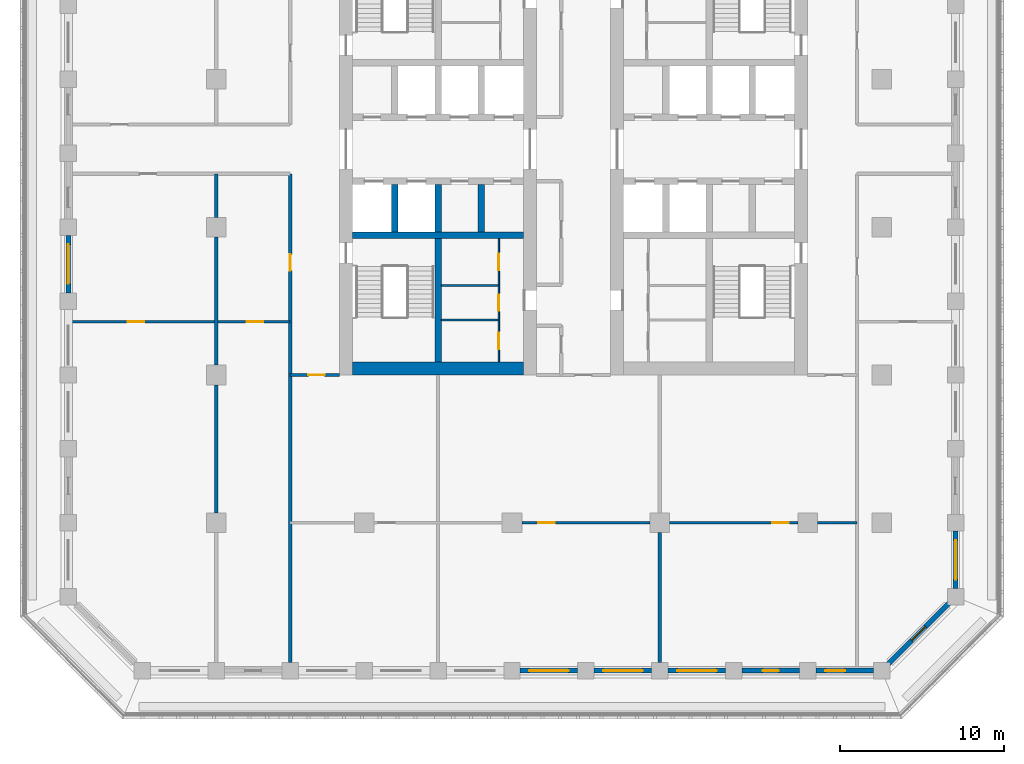
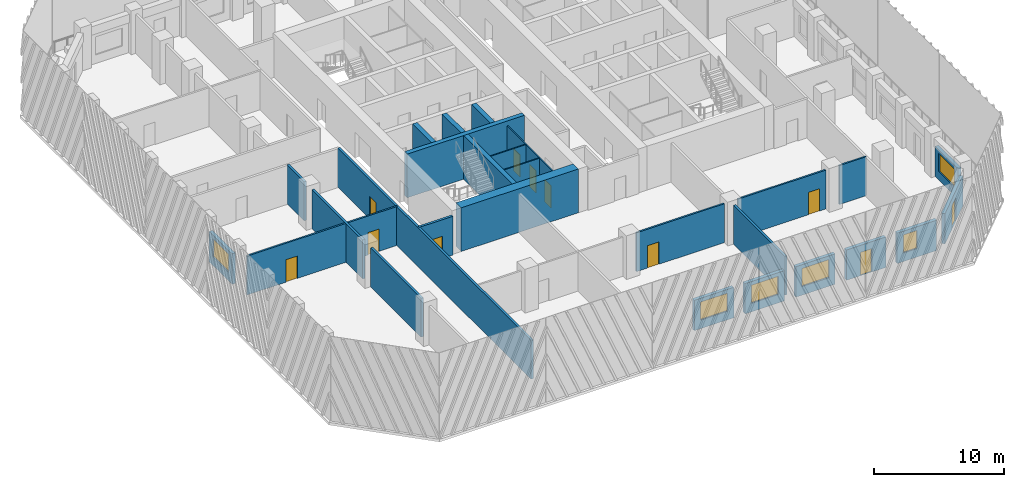
# One storey, part 3 of 16: 29 walls, 11 doors, 6 windows, 17 openings.
"""IFC4 building model written with IfcOpenShell, lengths in metres."""

from ifc_helpers import new_model, si_unit, direction, frame, frame_2d, origin, place, context, subcontext, project, spatial, rectangle, extrude, material, layer, layer_set, type_object, element, fill, save


model = new_model("IFC4")

# Units and contexts
model_context = context("Model", 3, precision=1e-05, world=origin(), true_north=direction((0.0, 1.0)))
body_context = subcontext(model_context, "Body", "Model", "MODEL_VIEW")
ifc_project = project(units=[si_unit("LENGTHUNIT", "METRE"), si_unit("AREAUNIT", "SQUARE_METRE"), si_unit("VOLUMEUNIT", "CUBIC_METRE"), si_unit("PLANEANGLEUNIT", "RADIAN"), si_unit("MASSUNIT", "GRAM", prefix="KILO")], contexts=[model_context])

# Site, building, storey
site_placement = place(None, origin())
site = spatial("IfcSite", under=ifc_project, at=site_placement, CompositionType="ELEMENT")
building_placement = place(site_placement, origin())
building = spatial("IfcBuilding", under=site, at=building_placement, Name="Corbel Stack Research Tower", CompositionType="ELEMENT")
storey_placement = place(building_placement, frame((0.0, 0.0, 165.0)))
storey = spatial("IfcBuildingStorey", under=building, at=storey_placement, Name="L37", CompositionType="ELEMENT", Elevation=165.0)

# Walls
ifc_material_1 = material(Name="Concrete C60/75", Category="concrete")
ifc_layer_1 = layer(ifc_material_1, 0.39990234375)
ifc_layer_set_1 = layer_set([ifc_layer_1], Name="Concrete C60/75")
wall_type_1 = type_object("IfcWallType", Name="CW-400-60", PredefinedType="SHEAR", material=ifc_layer_set_1)
wall_1_placement = place(storey_placement, frame((-9.699951171875, -0.5, 0.0), z_axis=(0.0, 0.0, 1.0), x_axis=(1.0, 0.0, 0.0)))
element("IfcWall", 1, at=wall_1_placement, inside=storey, type_object=wall_type_1, Name="West core wall, south row back L37", PredefinedType="SHEAR", context=body_context, shape_type="SweptSolid", body=[
    extrude(rectangle(XDim=10.39990234375, YDim=0.39990234375, at=frame_2d((5.199951171875, 0.0))), origin(), (0.0, 0.0, 1.0), 4.10009765625),
])
for number, where, z_axis, x_axis, name in (
    (2, (-7.125, -0.300048828125, 0.0), (0.0, 0.0, 1.0), (0.0, 1.0, 0.0), "West core wall, south shaft 1 L37"),
    (3, (-4.5, -0.300048828125, 0.0), (0.0, 0.0, 1.0), (0.0, 1.0, 0.0), "West core wall, south shaft 2 L37"),
    (4, (-1.875, -0.300048828125, 0.0), (0.0, 0.0, 1.0), (0.0, 1.0, 0.0), "West core wall, south shaft 3 L37"),
):
    element("IfcWall", number, at=place(storey_placement, frame(where, z_axis=z_axis, x_axis=x_axis)), inside=storey, type_object=wall_type_1, Name=name, PredefinedType="SHEAR", context=body_context, shape_type="SweptSolid", body=[
        extrude(rectangle(XDim=2.900146484375, YDim=0.39990234375, at=frame_2d((1.4501953125, 0.0))), origin(), (0.0, 0.0, 1.0), 4.10009765625),
    ])
wall_2_placement = place(storey_placement, frame((-4.5, -8.199951171875, 0.0), z_axis=(0.0, 0.0, 1.0), x_axis=(0.0, 1.0, 0.0)))
element("IfcWall", 5, at=wall_2_placement, inside=storey, type_object=wall_type_1, Name="West core wall, south stair and WC L37", PredefinedType="SHEAR", context=body_context, shape_type="SweptSolid", body=[
    extrude(rectangle(XDim=7.5, YDim=0.39990234375, at=frame_2d((3.75, 0.0))), origin(), (0.0, 0.0, 1.0), 4.10009765625),
])
ifc_material_2 = material(Name="Concrete C60/75", Category="concrete")
ifc_layer_2 = layer(ifc_material_2, 0.800048828125)
ifc_layer_set_2 = layer_set([ifc_layer_2], Name="Concrete C60/75")
wall_type_2 = type_object("IfcWallType", Name="CW-800-60", PredefinedType="SHEAR", material=ifc_layer_set_2)
wall_3_placement = place(storey_placement, frame((-9.699951171875, -8.60009765625, 0.0), z_axis=(0.0, 0.0, 1.0), x_axis=(1.0, 0.0, 0.0)))
element("IfcWall", 6, at=wall_3_placement, inside=storey, type_object=wall_type_2, Name="West core wall, south end L37", PredefinedType="SHEAR", context=body_context, shape_type="SweptSolid", body=[
    extrude(rectangle(XDim=10.39990234375, YDim=0.800048828125, at=frame_2d((5.199951171875, 0.0))), origin(), (0.0, 0.0, 1.0), 4.10009765625),
])

# Wall, opening, door
ifc_material_3 = material(Name="Gypsum board")
ifc_layer_3 = layer(ifc_material_3, 0.10009765625)
ifc_layer_set_3 = layer_set([ifc_layer_3], Name="Gypsum board")
wall_type_3 = type_object("IfcWallType", Name="Core partition 100", PredefinedType="PARTITIONING", material=ifc_layer_set_3)
wall_4_placement = place(storey_placement, frame((-0.800048828125, -8.199951171875, 0.0), z_axis=(0.0, 0.0, 1.0), x_axis=(0.0, 1.0, 0.0)))
wall_4 = element("IfcWall", 7, at=wall_4_placement, inside=storey, type_object=wall_type_3, Name="Core partition W", PredefinedType="PARTITIONING", context=body_context, shape_type="SweptSolid", body=[
    extrude(rectangle(XDim=2.550048828125, YDim=0.10009765625, at=frame_2d((1.27490234375, 0.0))), origin(), (0.0, 0.0, 1.0), 3.64990234375),
])
opening_1_placement = place(wall_4_placement, frame((0.77490234375, 0.0, 0.0)))
opening_1 = element("IfcOpeningElement", 8, at=opening_1_placement, cuts=wall_4, Name="Opening CR-W12-W2-1000", PredefinedType="OPENING", context=body_context, shape_type="SweptSolid", body=[
    extrude(rectangle(XDim=1.0, YDim=2.10009765625, at=frame_2d((0.5, 1.050048828125))), frame((0.0, 0.06005859375, 0.0), z_axis=(0.0, -1.0, 0.0), x_axis=(1.0, 0.0, 0.0)), (0.0, 0.0, 1.0), 0.1201171875),
])
ifc_material_4 = material(Name="Painted timber door", Category="wood")
door_type_1 = type_object("IfcDoorType", Name="WC door 1000 x 2100 right hand", OperationType="SINGLE_SWING_RIGHT", PredefinedType="DOOR", material=ifc_material_4)
door_1_placement = place(opening_1_placement, origin())
door_1 = element("IfcDoor", 9, at=door_1_placement, inside=storey, type_object=door_type_1, Name="Men's WC door W core", OperationType="SINGLE_SWING_RIGHT", OverallHeight=2.10009765625, OverallWidth=1.0, PredefinedType="DOOR", context=body_context, shape_type="SweptSolid", body=[
    extrude(rectangle(XDim=1.0, YDim=2.10009765625, at=frame_2d((0.5, 1.050048828125))), frame((0.0, 0.02490234375, 0.0), z_axis=(0.0, -1.0, 0.0), x_axis=(1.0, 0.0, 0.0)), (0.0, 0.0, 1.0), 0.050048828125),
])
fill(opening_1, door_1)

wall_5_placement = place(storey_placement, frame((-0.800048828125, -5.64990234375, 0.0), z_axis=(0.0, 0.0, 1.0), x_axis=(0.0, 1.0, 0.0)))
wall_5 = element("IfcWall", 10, at=wall_5_placement, inside=storey, type_object=wall_type_3, Name="Core partition W", PredefinedType="PARTITIONING", context=body_context, shape_type="SweptSolid", body=[
    extrude(rectangle(XDim=2.099853515625, YDim=0.10009765625, at=frame_2d((1.0498046875, 0.0))), origin(), (0.0, 0.0, 1.0), 3.64990234375),
])
opening_2_placement = place(wall_5_placement, frame((0.550048828125, 0.0, 0.0)))
opening_2 = element("IfcOpeningElement", 11, at=opening_2_placement, cuts=wall_5, Name="Opening CR-W12-W3-1000", PredefinedType="OPENING", context=body_context, shape_type="SweptSolid", body=[
    extrude(rectangle(XDim=1.0, YDim=2.10009765625, at=frame_2d((0.5, 1.050048828125))), frame((0.0, 0.06005859375, 0.0), z_axis=(0.0, -1.0, 0.0), x_axis=(1.0, 0.0, 0.0)), (0.0, 0.0, 1.0), 0.1201171875),
])
ifc_material_5 = material(Name="Painted timber door", Category="wood")
door_type_2 = type_object("IfcDoorType", Name="WC door 1000 x 2100 left hand", OperationType="SINGLE_SWING_LEFT", PredefinedType="DOOR", material=ifc_material_5)
door_2_placement = place(opening_2_placement, origin())
door_2 = element("IfcDoor", 12, at=door_2_placement, inside=storey, type_object=door_type_2, Name="Accessible WC door W core", OperationType="SINGLE_SWING_LEFT", OverallHeight=2.10009765625, OverallWidth=1.0, PredefinedType="DOOR", context=body_context, shape_type="SweptSolid", body=[
    extrude(rectangle(XDim=1.0, YDim=2.10009765625, at=frame_2d((0.5, 1.050048828125))), frame((0.0, 0.02490234375, 0.0), z_axis=(0.0, -1.0, 0.0), x_axis=(1.0, 0.0, 0.0)), (0.0, 0.0, 1.0), 0.050048828125),
])
fill(opening_2, door_2)

wall_6_placement = place(storey_placement, frame((-0.800048828125, -3.550048828125, 0.0), z_axis=(0.0, 0.0, 1.0), x_axis=(0.0, 1.0, 0.0)))
wall_6 = element("IfcWall", 13, at=wall_6_placement, inside=storey, type_object=wall_type_3, Name="Core partition W", PredefinedType="PARTITIONING", context=body_context, shape_type="SweptSolid", body=[
    extrude(rectangle(XDim=2.85009765625, YDim=0.10009765625, at=frame_2d((1.425048828125, 0.0))), origin(), (0.0, 0.0, 1.0), 3.64990234375),
])
opening_3_placement = place(wall_6_placement, frame((0.925048828125, 0.0, 0.0)))
opening_3 = element("IfcOpeningElement", 14, at=opening_3_placement, cuts=wall_6, Name="Opening CR-W12-W4-1000", PredefinedType="OPENING", context=body_context, shape_type="SweptSolid", body=[
    extrude(rectangle(XDim=1.0, YDim=2.10009765625, at=frame_2d((0.5, 1.050048828125))), frame((0.0, 0.06005859375, 0.0), z_axis=(0.0, -1.0, 0.0), x_axis=(1.0, 0.0, 0.0)), (0.0, 0.0, 1.0), 0.1201171875),
])
door_3_placement = place(opening_3_placement, origin())
door_3 = element("IfcDoor", 15, at=door_3_placement, inside=storey, type_object=door_type_1, Name="Women's WC door W core", OperationType="SINGLE_SWING_RIGHT", OverallHeight=2.10009765625, OverallWidth=1.0, PredefinedType="DOOR", context=body_context, shape_type="SweptSolid", body=[
    extrude(rectangle(XDim=1.0, YDim=2.10009765625, at=frame_2d((0.5, 1.050048828125))), frame((0.0, 0.02490234375, 0.0), z_axis=(0.0, -1.0, 0.0), x_axis=(1.0, 0.0, 0.0)), (0.0, 0.0, 1.0), 0.050048828125),
])
fill(opening_3, door_3)

# Walls
for number, where, z_axis, x_axis, name in (
    (16, (-4.300048828125, -5.64990234375, 0.0), (0.0, 0.0, 1.0), (1.0, 0.0, 0.0), "Core partition W"),
    (17, (-4.300048828125, -3.550048828125, 0.0), (0.0, 0.0, 1.0), (1.0, 0.0, 0.0), "Core partition W"),
):
    element("IfcWall", number, at=place(storey_placement, frame(where, z_axis=z_axis, x_axis=x_axis)), inside=storey, type_object=wall_type_3, Name=name, PredefinedType="PARTITIONING", context=body_context, shape_type="SweptSolid", body=[
        extrude(rectangle(XDim=3.5, YDim=0.10009765625, at=frame_2d((1.75, 0.0))), origin(), (0.0, 0.0, 1.0), 3.64990234375),
    ])
ifc_material_6 = material(Name="Fire-rated gypsum board partition on steel studs", Category="steel")
ifc_layer_4 = layer(ifc_material_6, 0.199951171875)
ifc_layer_set_4 = layer_set([ifc_layer_4], Name="Fire-rated gypsum board partition on steel studs")
wall_type_4 = type_object("IfcWallType", Name="Fire-rated partition 200 EI 60", PredefinedType="PARTITIONING", material=ifc_layer_set_4)
for number, where, z_axis, x_axis, name in (
    (18, (-18.0, -17.39990234375, 0.0), (0.0, 0.0, 1.0), (0.0, 1.0, 0.0), "Partition L37-002"),
    (19, (-18.0, -8.39990234375, 0.0), (0.0, 0.0, 1.0), (0.0, 1.0, 0.0), "Partition L37-003"),
):
    element("IfcWall", number, at=place(storey_placement, frame(where, z_axis=z_axis, x_axis=x_axis)), inside=storey, type_object=wall_type_4, Name=name, PredefinedType="PARTITIONING", context=body_context, shape_type="SweptSolid", body=[
        extrude(rectangle(XDim=7.7998046875, YDim=0.199951171875, at=frame_2d((3.89990234375, 0.0))), origin(), (0.0, 0.0, 1.0), 3.64990234375),
    ])
wall_7_placement = place(storey_placement, frame((-18.0, 0.60009765625, 0.0), z_axis=(0.0, 0.0, 1.0), x_axis=(0.0, 1.0, 0.0)))
element("IfcWall", 20, at=wall_7_placement, inside=storey, type_object=wall_type_4, Name="Partition L37-004", PredefinedType="PARTITIONING", context=body_context, shape_type="SweptSolid", body=[
    extrude(rectangle(XDim=2.64990234375, YDim=0.199951171875, at=frame_2d((1.324951171875, 0.0))), origin(), (0.0, 0.0, 1.0), 3.64990234375),
])

# Wall, opening, door
wall_8_placement = place(storey_placement, frame((-13.5, -26.5, 0.0), z_axis=(0.0, 0.0, 1.0), x_axis=(0.0, 1.0, 0.0)))
wall_8 = element("IfcWall", 21, at=wall_8_placement, inside=storey, type_object=wall_type_4, Name="Partition L37-009", PredefinedType="PARTITIONING", context=body_context, shape_type="SweptSolid", body=[
    extrude(rectangle(XDim=29.75, YDim=0.199951171875, at=frame_2d((14.875, 0.0))), origin(), (0.0, 0.0, 1.0), 3.64990234375),
])
opening_4_placement = place(wall_8_placement, frame((23.85009765625, 0.0, 0.0)))
opening_4 = element("IfcOpeningElement", 22, at=opening_4_placement, cuts=wall_8, Name="Opening B5V1-004", PredefinedType="OPENING", context=body_context, shape_type="SweptSolid", body=[
    extrude(rectangle(XDim=1.0, YDim=2.10009765625, at=frame_2d((0.5, 1.050048828125))), frame((0.0, 0.10986328125, 0.0), z_axis=(0.0, -1.0, 0.0), x_axis=(1.0, 0.0, 0.0)), (0.0, 0.0, 1.0), 0.219970703125),
])
ifc_material_7 = material(Name="Painted steel fire door", Category="steel")
door_type_3 = type_object("IfcDoorType", Name="Fire door FD30S 1000 x 2100", OperationType="NOTDEFINED", PredefinedType="DOOR", material=ifc_material_7)
door_4_placement = place(opening_4_placement, origin())
door_4 = element("IfcDoor", 23, at=door_4_placement, inside=storey, type_object=door_type_3, Name="Door B5V1-004", OperationType="SINGLE_SWING_RIGHT", OverallHeight=2.10009765625, OverallWidth=1.0, PredefinedType="DOOR", context=body_context, shape_type="SweptSolid", body=[
    extrude(rectangle(XDim=1.0, YDim=2.10009765625, at=frame_2d((0.5, 1.050048828125))), frame((0.0, 0.02490234375, 0.0), z_axis=(0.0, -1.0, 0.0), x_axis=(1.0, 0.0, 0.0)), (0.0, 0.0, 1.0), 0.050048828125),
])
fill(opening_4, door_4)

# Wall
wall_9_placement = place(storey_placement, frame((9.0, -26.5, 0.0), z_axis=(0.0, 0.0, 1.0), x_axis=(0.0, 1.0, 0.0)))
element("IfcWall", 24, at=wall_9_placement, inside=storey, type_object=wall_type_4, Name="Partition L37-016", PredefinedType="PARTITIONING", context=body_context, shape_type="SweptSolid", body=[
    extrude(rectangle(XDim=7.89990234375, YDim=0.199951171875, at=frame_2d((3.949951171875, 0.0))), origin(), (0.0, 0.0, 1.0), 3.64990234375),
])

# Wall, opening, door
wall_10_placement = place(storey_placement, frame((-10.5, -9.0, 0.0), z_axis=(0.0, 0.0, 1.0), x_axis=(-1.0, 0.0, 0.0)))
wall_10 = element("IfcWall", 25, at=wall_10_placement, inside=storey, type_object=wall_type_4, Name="Partition L37-027", PredefinedType="PARTITIONING", context=body_context, shape_type="SweptSolid", body=[
    extrude(rectangle(XDim=3.0, YDim=0.199951171875, at=frame_2d((1.5, 0.0))), origin(), (0.0, 0.0, 1.0), 3.64990234375),
])
opening_5_placement = place(wall_10_placement, frame((0.89990234375, 0.0, 0.0)))
opening_5 = element("IfcOpeningElement", 26, at=opening_5_placement, cuts=wall_10, Name="Opening B5V1-006", PredefinedType="OPENING", context=body_context, shape_type="SweptSolid", body=[
    extrude(rectangle(XDim=1.0, YDim=2.10009765625, at=frame_2d((0.5, 1.050048828125))), frame((0.0, 0.10986328125, 0.0), z_axis=(0.0, -1.0, 0.0), x_axis=(1.0, 0.0, 0.0)), (0.0, 0.0, 1.0), 0.219970703125),
])
door_5_placement = place(opening_5_placement, origin())
door_5 = element("IfcDoor", 27, at=door_5_placement, inside=storey, type_object=door_type_3, Name="Door B5V1-006", OperationType="SINGLE_SWING_LEFT", OverallHeight=2.10009765625, OverallWidth=1.0, PredefinedType="DOOR", context=body_context, shape_type="SweptSolid", body=[
    extrude(rectangle(XDim=1.0, YDim=2.10009765625, at=frame_2d((0.5, 1.050048828125))), frame((0.0, 0.02490234375, 0.0), z_axis=(0.0, -1.0, 0.0), x_axis=(1.0, 0.0, 0.0)), (0.0, 0.0, 1.0), 0.050048828125),
])
fill(opening_5, door_5)

ifc_material_8 = material(Name="Gypsum board partition on steel studs", Category="steel")
ifc_layer_5 = layer(ifc_material_8, 0.14990234375)
ifc_layer_set_5 = layer_set([ifc_layer_5], Name="Gypsum board partition on steel studs")
wall_type_5 = type_object("IfcWallType", Name="Partition 150", PredefinedType="PARTITIONING", material=ifc_layer_set_5)
wall_11_placement = place(storey_placement, frame((8.39990234375, -18.0, 0.0), z_axis=(0.0, 0.0, 1.0), x_axis=(-1.0, 0.0, 0.0)))
wall_11 = element("IfcWall", 28, at=wall_11_placement, inside=storey, type_object=wall_type_5, Name="Partition L37-024", PredefinedType="PARTITIONING", context=body_context, shape_type="SweptSolid", body=[
    extrude(rectangle(XDim=7.7998046875, YDim=0.14990234375, at=frame_2d((3.89990234375, 0.0))), origin(), (0.0, 0.0, 1.0), 3.64990234375),
])
opening_6_placement = place(wall_11_placement, frame((5.800048828125, 0.0, 0.0)))
opening_6 = element("IfcOpeningElement", 29, at=opening_6_placement, cuts=wall_11, Name="Opening B5V1-002", PredefinedType="OPENING", context=body_context, shape_type="SweptSolid", body=[
    extrude(rectangle(XDim=1.0, YDim=2.10009765625, at=frame_2d((0.5, 1.050048828125))), frame((0.0, 0.0849609375, 0.0), z_axis=(0.0, -1.0, 0.0), x_axis=(1.0, 0.0, 0.0)), (0.0, 0.0, 1.0), 0.169921875),
])
ifc_material_9 = material(Name="Painted timber door", Category="wood")
door_type_4 = type_object("IfcDoorType", Name="Single door 1000 x 2100", OperationType="NOTDEFINED", PredefinedType="DOOR", material=ifc_material_9)
door_6_placement = place(opening_6_placement, origin())
door_6 = element("IfcDoor", 30, at=door_6_placement, inside=storey, type_object=door_type_4, Name="Door B5V1-002", OperationType="SINGLE_SWING_RIGHT", OverallHeight=2.10009765625, OverallWidth=1.0, PredefinedType="DOOR", context=body_context, shape_type="SweptSolid", body=[
    extrude(rectangle(XDim=1.0, YDim=2.10009765625, at=frame_2d((0.5, 1.050048828125))), frame((0.0, 0.02490234375, 0.0), z_axis=(0.0, -1.0, 0.0), x_axis=(1.0, 0.0, 0.0)), (0.0, 0.0, 1.0), 0.050048828125),
])
fill(opening_6, door_6)

wall_12_placement = place(storey_placement, frame((17.39990234375, -18.0, 0.0), z_axis=(0.0, 0.0, 1.0), x_axis=(-1.0, 0.0, 0.0)))
wall_12 = element("IfcWall", 31, at=wall_12_placement, inside=storey, type_object=wall_type_5, Name="Partition L37-025", PredefinedType="PARTITIONING", context=body_context, shape_type="SweptSolid", body=[
    extrude(rectangle(XDim=7.7998046875, YDim=0.14990234375, at=frame_2d((3.89990234375, 0.0))), origin(), (0.0, 0.0, 1.0), 3.64990234375),
])
opening_7_placement = place(wall_12_placement, frame((0.550048828125, 0.0, 0.0)))
opening_7 = element("IfcOpeningElement", 32, at=opening_7_placement, cuts=wall_12, Name="Opening B5V1-003", PredefinedType="OPENING", context=body_context, shape_type="SweptSolid", body=[
    extrude(rectangle(XDim=1.0, YDim=2.10009765625, at=frame_2d((0.5, 1.050048828125))), frame((0.0, 0.0849609375, 0.0), z_axis=(0.0, -1.0, 0.0), x_axis=(1.0, 0.0, 0.0)), (0.0, 0.0, 1.0), 0.169921875),
])
door_7_placement = place(opening_7_placement, origin())
door_7 = element("IfcDoor", 33, at=door_7_placement, inside=storey, type_object=door_type_4, Name="Door B5V1-003", OperationType="SINGLE_SWING_LEFT", OverallHeight=2.10009765625, OverallWidth=1.0, PredefinedType="DOOR", context=body_context, shape_type="SweptSolid", body=[
    extrude(rectangle(XDim=1.0, YDim=2.10009765625, at=frame_2d((0.5, 1.050048828125))), frame((0.0, 0.02490234375, 0.0), z_axis=(0.0, -1.0, 0.0), x_axis=(1.0, 0.0, 0.0)), (0.0, 0.0, 1.0), 0.050048828125),
])
fill(opening_7, door_7)

# Wall
wall_13_placement = place(storey_placement, frame((18.60009765625, -18.0, 0.0), z_axis=(0.0, 0.0, 1.0), x_axis=(1.0, 0.0, 0.0)))
element("IfcWall", 34, at=wall_13_placement, inside=storey, type_object=wall_type_5, Name="Partition L37-026", PredefinedType="PARTITIONING", context=body_context, shape_type="SweptSolid", body=[
    extrude(rectangle(XDim=2.39990234375, YDim=0.14990234375, at=frame_2d((1.199951171875, 0.0))), origin(), (0.0, 0.0, 1.0), 3.64990234375),
])

# Wall, openings, doors
wall_14_placement = place(storey_placement, frame((-13.5, -5.75, 0.0), z_axis=(0.0, 0.0, 1.0), x_axis=(-1.0, 0.0, 0.0)))
wall_14 = element("IfcWall", 35, at=wall_14_placement, inside=storey, type_object=wall_type_5, Name="Partition L37-031", PredefinedType="PARTITIONING", context=body_context, shape_type="SweptSolid", body=[
    extrude(rectangle(XDim=13.35009765625, YDim=0.14990234375, at=frame_2d((6.675048828125, 0.0))), origin(), (0.0, 0.0, 1.0), 3.64990234375),
])
opening_8_placement = place(wall_14_placement, frame((8.89990234375, 0.0, 0.0)))
opening_8 = element("IfcOpeningElement", 36, at=opening_8_placement, cuts=wall_14, Name="Opening B5V1-009", PredefinedType="OPENING", context=body_context, shape_type="SweptSolid", body=[
    extrude(rectangle(XDim=1.0, YDim=2.10009765625, at=frame_2d((0.5, 1.050048828125))), frame((0.0, 0.0849609375, 0.0), z_axis=(0.0, -1.0, 0.0), x_axis=(1.0, 0.0, 0.0)), (0.0, 0.0, 1.0), 0.169921875),
])
opening_9_placement = place(wall_14_placement, frame((1.64990234375, 0.0, 0.0)))
opening_9 = element("IfcOpeningElement", 37, at=opening_9_placement, cuts=wall_14, Name="Opening B5V1-010", PredefinedType="OPENING", context=body_context, shape_type="SweptSolid", body=[
    extrude(rectangle(XDim=1.0, YDim=2.10009765625, at=frame_2d((0.5, 1.050048828125))), frame((0.0, 0.0849609375, 0.0), z_axis=(0.0, -1.0, 0.0), x_axis=(1.0, 0.0, 0.0)), (0.0, 0.0, 1.0), 0.169921875),
])
door_8_placement = place(opening_8_placement, origin())
door_8 = element("IfcDoor", 38, at=door_8_placement, inside=storey, type_object=door_type_4, Name="Door B5V1-009", OperationType="SINGLE_SWING_RIGHT", OverallHeight=2.10009765625, OverallWidth=1.0, PredefinedType="DOOR", context=body_context, shape_type="SweptSolid", body=[
    extrude(rectangle(XDim=1.0, YDim=2.10009765625, at=frame_2d((0.5, 1.050048828125))), frame((0.0, 0.02490234375, 0.0), z_axis=(0.0, -1.0, 0.0), x_axis=(1.0, 0.0, 0.0)), (0.0, 0.0, 1.0), 0.050048828125),
])
fill(opening_8, door_8)
door_9_placement = place(opening_9_placement, origin())
door_9 = element("IfcDoor", 39, at=door_9_placement, inside=storey, type_object=door_type_4, Name="Door B5V1-010", OperationType="SINGLE_SWING_LEFT", OverallHeight=2.10009765625, OverallWidth=1.0, PredefinedType="DOOR", context=body_context, shape_type="SweptSolid", body=[
    extrude(rectangle(XDim=1.0, YDim=2.10009765625, at=frame_2d((0.5, 1.050048828125))), frame((0.0, 0.02490234375, 0.0), z_axis=(0.0, -1.0, 0.0), x_axis=(1.0, 0.0, 0.0)), (0.0, 0.0, 1.0), 0.050048828125),
])
fill(opening_9, door_9)

# Wall, opening, window
ifc_material_10 = material(Name="Concrete C45/55", Category="concrete")
ifc_layer_6 = layer(ifc_material_10, 0.300048828125)
ifc_layer_set_6 = layer_set([ifc_layer_6], Name="Concrete C45/55")
wall_type_6 = type_object("IfcWallType", Name="Terracotta-faced concrete wall 300", PredefinedType="SOLIDWALL", material=ifc_layer_set_6)
wall_15_placement = place(storey_placement, frame((4.0, -27.0, 0.0), z_axis=(0.0, 0.0, 1.0), x_axis=(-1.0, 0.0, 0.0)))
wall_15 = element("IfcWall", 40, at=wall_15_placement, inside=storey, type_object=wall_type_6, Name="Facade wall L37 S06", PredefinedType="SOLIDWALL", context=body_context, shape_type="SweptSolid", body=[
    extrude(rectangle(XDim=3.5, YDim=0.300048828125, at=frame_2d((1.75, 0.0))), origin(), (0.0, 0.0, 1.0), 2.85009765625),
])
opening_10_placement = place(wall_15_placement, frame((0.550048828125, 0.0, 0.800048828125)))
opening_10 = element("IfcOpeningElement", 41, at=opening_10_placement, cuts=wall_15, Name="Opening W1", PredefinedType="OPENING", context=body_context, shape_type="SweptSolid", body=[
    extrude(rectangle(XDim=2.39990234375, YDim=1.699951171875, at=frame_2d((1.199951171875, 0.85009765625))), frame((0.0, 0.159912109375, 0.0), z_axis=(0.0, -1.0, 0.0), x_axis=(1.0, 0.0, 0.0)), (0.0, 0.0, 1.0), 0.320068359375),
])
ifc_material_11 = material(Name="Aluminium frame, clear double glazing", Category="aluminium")
window_type_1 = type_object("IfcWindowType", Name="Window W1 2400 x 1700", PartitioningType="SINGLE_PANEL", PredefinedType="WINDOW", material=ifc_material_11)
window_1_placement = place(opening_10_placement, origin())
window_1 = element("IfcWindow", 42, at=window_1_placement, inside=storey, type_object=window_type_1, Name="Window W1 L37 S06", OverallHeight=1.699951171875, OverallWidth=2.39990234375, PartitioningType="SINGLE_PANEL", PredefinedType="WINDOW", context=body_context, shape_type="SweptSolid", body=[
    extrude(rectangle(XDim=2.39990234375, YDim=1.699951171875, at=frame_2d((1.199951171875, 0.85009765625))), frame((0.0, 0.030029296875, 0.0), z_axis=(0.0, -1.0, 0.0), x_axis=(1.0, 0.0, 0.0)), (0.0, 0.0, 1.0), 0.06005859375),
])
fill(opening_10, window_1)

wall_16_placement = place(storey_placement, frame((8.5, -27.0, 0.0), z_axis=(0.0, 0.0, 1.0), x_axis=(-1.0, 0.0, 0.0)))
wall_16 = element("IfcWall", 43, at=wall_16_placement, inside=storey, type_object=wall_type_6, Name="Facade wall L37 S07", PredefinedType="SOLIDWALL", context=body_context, shape_type="SweptSolid", body=[
    extrude(rectangle(XDim=3.5, YDim=0.300048828125, at=frame_2d((1.75, 0.0))), origin(), (0.0, 0.0, 1.0), 2.85009765625),
])
opening_11_placement = place(wall_16_placement, frame((0.550048828125, 0.0, 0.800048828125)))
opening_11 = element("IfcOpeningElement", 44, at=opening_11_placement, cuts=wall_16, Name="Opening W1", PredefinedType="OPENING", context=body_context, shape_type="SweptSolid", body=[
    extrude(rectangle(XDim=2.39990234375, YDim=1.699951171875, at=frame_2d((1.199951171875, 0.85009765625))), frame((0.0, 0.159912109375, 0.0), z_axis=(0.0, -1.0, 0.0), x_axis=(1.0, 0.0, 0.0)), (0.0, 0.0, 1.0), 0.320068359375),
])
window_2_placement = place(opening_11_placement, origin())
window_2 = element("IfcWindow", 45, at=window_2_placement, inside=storey, type_object=window_type_1, Name="Window W1 L37 S07", OverallHeight=1.699951171875, OverallWidth=2.39990234375, PartitioningType="SINGLE_PANEL", PredefinedType="WINDOW", context=body_context, shape_type="SweptSolid", body=[
    extrude(rectangle(XDim=2.39990234375, YDim=1.699951171875, at=frame_2d((1.199951171875, 0.85009765625))), frame((0.0, 0.030029296875, 0.0), z_axis=(0.0, -1.0, 0.0), x_axis=(1.0, 0.0, 0.0)), (0.0, 0.0, 1.0), 0.06005859375),
])
fill(opening_11, window_2)

wall_17_placement = place(storey_placement, frame((13.0, -27.0, 0.0), z_axis=(0.0, 0.0, 1.0), x_axis=(-1.0, 0.0, 0.0)))
wall_17 = element("IfcWall", 46, at=wall_17_placement, inside=storey, type_object=wall_type_6, Name="Facade wall L37 S08", PredefinedType="SOLIDWALL", context=body_context, shape_type="SweptSolid", body=[
    extrude(rectangle(XDim=3.5, YDim=0.300048828125, at=frame_2d((1.75, 0.0))), origin(), (0.0, 0.0, 1.0), 2.85009765625),
])
opening_12_placement = place(wall_17_placement, frame((0.550048828125, 0.0, 0.800048828125)))
opening_12 = element("IfcOpeningElement", 47, at=opening_12_placement, cuts=wall_17, Name="Opening W1", PredefinedType="OPENING", context=body_context, shape_type="SweptSolid", body=[
    extrude(rectangle(XDim=2.39990234375, YDim=1.699951171875, at=frame_2d((1.199951171875, 0.85009765625))), frame((0.0, 0.159912109375, 0.0), z_axis=(0.0, -1.0, 0.0), x_axis=(1.0, 0.0, 0.0)), (0.0, 0.0, 1.0), 0.320068359375),
])
window_3_placement = place(opening_12_placement, origin())
window_3 = element("IfcWindow", 48, at=window_3_placement, inside=storey, type_object=window_type_1, Name="Window W1 L37 S08", OverallHeight=1.699951171875, OverallWidth=2.39990234375, PartitioningType="SINGLE_PANEL", PredefinedType="WINDOW", context=body_context, shape_type="SweptSolid", body=[
    extrude(rectangle(XDim=2.39990234375, YDim=1.699951171875, at=frame_2d((1.199951171875, 0.85009765625))), frame((0.0, 0.030029296875, 0.0), z_axis=(0.0, -1.0, 0.0), x_axis=(1.0, 0.0, 0.0)), (0.0, 0.0, 1.0), 0.06005859375),
])
fill(opening_12, window_3)

# Wall, opening, door
wall_18_placement = place(storey_placement, frame((17.5, -27.0, 0.0), z_axis=(0.0, 0.0, 1.0), x_axis=(-1.0, 0.0, 0.0)))
wall_18 = element("IfcWall", 49, at=wall_18_placement, inside=storey, type_object=wall_type_6, Name="Facade wall L37 S09", PredefinedType="SOLIDWALL", context=body_context, shape_type="SweptSolid", body=[
    extrude(rectangle(XDim=3.5, YDim=0.300048828125, at=frame_2d((1.75, 0.0))), origin(), (0.0, 0.0, 1.0), 2.85009765625),
])
opening_13_placement = place(wall_18_placement, frame((1.25, 0.0, 0.0)))
opening_13 = element("IfcOpeningElement", 50, at=opening_13_placement, cuts=wall_18, Name="Opening L37-B02", PredefinedType="OPENING", context=body_context, shape_type="SweptSolid", body=[
    extrude(rectangle(XDim=1.0, YDim=2.199951171875, at=frame_2d((0.5, 1.10009765625))), frame((0.0, 0.159912109375, 0.0), z_axis=(0.0, -1.0, 0.0), x_axis=(1.0, 0.0, 0.0)), (0.0, 0.0, 1.0), 0.320068359375),
])
ifc_material_12 = material(Name="Aluminium frame, clear double glazing", Category="aluminium")
door_type_5 = type_object("IfcDoorType", Name="Balcony door BD1 1000 x 2200", OperationType="NOTDEFINED", PredefinedType="DOOR", material=ifc_material_12)
door_10_placement = place(opening_13_placement, origin())
door_10 = element("IfcDoor", 51, at=door_10_placement, inside=storey, type_object=door_type_5, Name="Balcony door L37-B02", OperationType="SINGLE_SWING_RIGHT", OverallHeight=2.199951171875, OverallWidth=1.0, PredefinedType="DOOR", context=body_context, shape_type="SweptSolid", body=[
    extrude(rectangle(XDim=1.0, YDim=2.199951171875, at=frame_2d((0.5, 1.10009765625))), frame((0.0, 0.02490234375, 0.0), z_axis=(0.0, -1.0, 0.0), x_axis=(1.0, 0.0, 0.0)), (0.0, 0.0, 1.0), 0.050048828125),
])
fill(opening_13, door_10)

# Wall, opening, window
wall_19_placement = place(storey_placement, frame((22.0, -27.0, 0.0), z_axis=(0.0, 0.0, 1.0), x_axis=(-1.0, 0.0, 0.0)))
wall_19 = element("IfcWall", 52, at=wall_19_placement, inside=storey, type_object=wall_type_6, Name="Facade wall L37 S10", PredefinedType="SOLIDWALL", context=body_context, shape_type="SweptSolid", body=[
    extrude(rectangle(XDim=3.5, YDim=0.300048828125, at=frame_2d((1.75, 0.0))), origin(), (0.0, 0.0, 1.0), 2.85009765625),
])
opening_14_placement = place(wall_19_placement, frame((1.72509765625, 0.0, 0.800048828125)))
opening_14 = element("IfcOpeningElement", 53, at=opening_14_placement, cuts=wall_19, Name="Opening W2", PredefinedType="OPENING", context=body_context, shape_type="SweptSolid", body=[
    extrude(rectangle(XDim=1.199951171875, YDim=1.699951171875, at=frame_2d((0.60009765625, 0.85009765625))), frame((0.0, 0.159912109375, 0.0), z_axis=(0.0, -1.0, 0.0), x_axis=(1.0, 0.0, 0.0)), (0.0, 0.0, 1.0), 0.320068359375),
])
ifc_material_13 = material(Name="Aluminium frame, clear double glazing", Category="aluminium")
window_type_2 = type_object("IfcWindowType", Name="Window W2 1200 x 1700", PartitioningType="SINGLE_PANEL", PredefinedType="WINDOW", material=ifc_material_13)
window_4_placement = place(opening_14_placement, origin())
window_4 = element("IfcWindow", 54, at=window_4_placement, inside=storey, type_object=window_type_2, Name="Window W2 L37 S10", OverallHeight=1.699951171875, OverallWidth=1.199951171875, PartitioningType="SINGLE_PANEL", PredefinedType="WINDOW", context=body_context, shape_type="SweptSolid", body=[
    extrude(rectangle(XDim=1.199951171875, YDim=1.699951171875, at=frame_2d((0.60009765625, 0.85009765625))), frame((0.0, 0.030029296875, 0.0), z_axis=(0.0, -1.0, 0.0), x_axis=(1.0, 0.0, 0.0)), (0.0, 0.0, 1.0), 0.06005859375),
])
fill(opening_14, window_4)

# Wall, opening, door
wall_20_placement = place(storey_placement, frame((26.606201171875, -22.893798828125, 0.0), z_axis=(0.0, 0.0, 1.0), x_axis=(-0.707106781187, -0.707106781187, 0.0)))
wall_20 = element("IfcWall", 55, at=wall_20_placement, inside=storey, type_object=wall_type_6, Name="Facade wall L37 SE01", PredefinedType="SOLIDWALL", context=body_context, shape_type="SweptSolid", body=[
    extrude(rectangle(XDim=5.250244140625, YDim=0.300048828125, at=frame_2d((2.625, 0.0))), origin(), (0.0, 0.0, 1.0), 2.85009765625),
])
opening_15_placement = place(wall_20_placement, frame((2.02490234375, 0.0, 0.0)))
opening_15 = element("IfcOpeningElement", 56, at=opening_15_placement, cuts=wall_20, Name="Opening L37-B03", PredefinedType="OPENING", context=body_context, shape_type="SweptSolid", body=[
    extrude(rectangle(XDim=1.199951171875, YDim=2.199951171875, at=frame_2d((0.60009765625, 1.10009765625))), frame((0.0, 0.159912109375, 0.0), z_axis=(0.0, -1.0, 0.0), x_axis=(1.0, 0.0, 0.0)), (0.0, 0.0, 1.0), 0.320068359375),
])
ifc_material_14 = material(Name="Aluminium frame, clear double glazing", Category="aluminium")
door_type_6 = type_object("IfcDoorType", Name="Balcony door BD2 1200 x 2200", OperationType="NOTDEFINED", PredefinedType="DOOR", material=ifc_material_14)
door_11_placement = place(opening_15_placement, origin())
door_11 = element("IfcDoor", 57, at=door_11_placement, inside=storey, type_object=door_type_6, Name="Balcony door L37-B03", OperationType="SINGLE_SWING_RIGHT", OverallHeight=2.199951171875, OverallWidth=1.199951171875, PredefinedType="DOOR", context=body_context, shape_type="SweptSolid", body=[
    extrude(rectangle(XDim=1.199951171875, YDim=2.199951171875, at=frame_2d((0.60009765625, 1.10009765625))), frame((0.0, 0.02490234375, 0.0), z_axis=(0.0, -1.0, 0.0), x_axis=(1.0, 0.0, 0.0)), (0.0, 0.0, 1.0), 0.050048828125),
])
fill(opening_15, door_11)

# Wall, opening, window
wall_21_placement = place(storey_placement, frame((27.0, -18.5, 0.0), z_axis=(0.0, 0.0, 1.0), x_axis=(0.0, -1.0, 0.0)))
wall_21 = element("IfcWall", 58, at=wall_21_placement, inside=storey, type_object=wall_type_6, Name="Facade wall L37 E01", PredefinedType="SOLIDWALL", context=body_context, shape_type="SweptSolid", body=[
    extrude(rectangle(XDim=3.5, YDim=0.300048828125, at=frame_2d((1.75, 0.0))), origin(), (0.0, 0.0, 1.0), 2.85009765625),
])
opening_16_placement = place(wall_21_placement, frame((0.550048828125, 0.0, 0.800048828125)))
opening_16 = element("IfcOpeningElement", 59, at=opening_16_placement, cuts=wall_21, Name="Opening W1", PredefinedType="OPENING", context=body_context, shape_type="SweptSolid", body=[
    extrude(rectangle(XDim=2.39990234375, YDim=1.699951171875, at=frame_2d((1.199951171875, 0.85009765625))), frame((0.0, 0.159912109375, 0.0), z_axis=(0.0, -1.0, 0.0), x_axis=(1.0, 0.0, 0.0)), (0.0, 0.0, 1.0), 0.320068359375),
])
window_5_placement = place(opening_16_placement, origin())
window_5 = element("IfcWindow", 60, at=window_5_placement, inside=storey, type_object=window_type_1, Name="Window W1 L37 E01", OverallHeight=1.699951171875, OverallWidth=2.39990234375, PartitioningType="SINGLE_PANEL", PredefinedType="WINDOW", context=body_context, shape_type="SweptSolid", body=[
    extrude(rectangle(XDim=2.39990234375, YDim=1.699951171875, at=frame_2d((1.199951171875, 0.85009765625))), frame((0.0, 0.030029296875, 0.0), z_axis=(0.0, -1.0, 0.0), x_axis=(1.0, 0.0, 0.0)), (0.0, 0.0, 1.0), 0.06005859375),
])
fill(opening_16, window_5)

wall_22_placement = place(storey_placement, frame((-27.0, -4.0, 0.0), z_axis=(0.0, 0.0, 1.0), x_axis=(0.0, 1.0, 0.0)))
wall_22 = element("IfcWall", 61, at=wall_22_placement, inside=storey, type_object=wall_type_6, Name="Facade wall L37 W06", PredefinedType="SOLIDWALL", context=body_context, shape_type="SweptSolid", body=[
    extrude(rectangle(XDim=3.5, YDim=0.300048828125, at=frame_2d((1.75, 0.0))), origin(), (0.0, 0.0, 1.0), 2.85009765625),
])
opening_17_placement = place(wall_22_placement, frame((0.550048828125, 0.0, 0.800048828125)))
opening_17 = element("IfcOpeningElement", 62, at=opening_17_placement, cuts=wall_22, Name="Opening W1", PredefinedType="OPENING", context=body_context, shape_type="SweptSolid", body=[
    extrude(rectangle(XDim=2.39990234375, YDim=1.699951171875, at=frame_2d((1.199951171875, 0.85009765625))), frame((0.0, 0.159912109375, 0.0), z_axis=(0.0, -1.0, 0.0), x_axis=(1.0, 0.0, 0.0)), (0.0, 0.0, 1.0), 0.320068359375),
])
window_6_placement = place(opening_17_placement, origin())
window_6 = element("IfcWindow", 63, at=window_6_placement, inside=storey, type_object=window_type_1, Name="Window W1 L37 W06", OverallHeight=1.699951171875, OverallWidth=2.39990234375, PartitioningType="SINGLE_PANEL", PredefinedType="WINDOW", context=body_context, shape_type="SweptSolid", body=[
    extrude(rectangle(XDim=2.39990234375, YDim=1.699951171875, at=frame_2d((1.199951171875, 0.85009765625))), frame((0.0, 0.030029296875, 0.0), z_axis=(0.0, -1.0, 0.0), x_axis=(1.0, 0.0, 0.0)), (0.0, 0.0, 1.0), 0.06005859375),
])
fill(opening_17, window_6)

save(model, "model.ifc")
